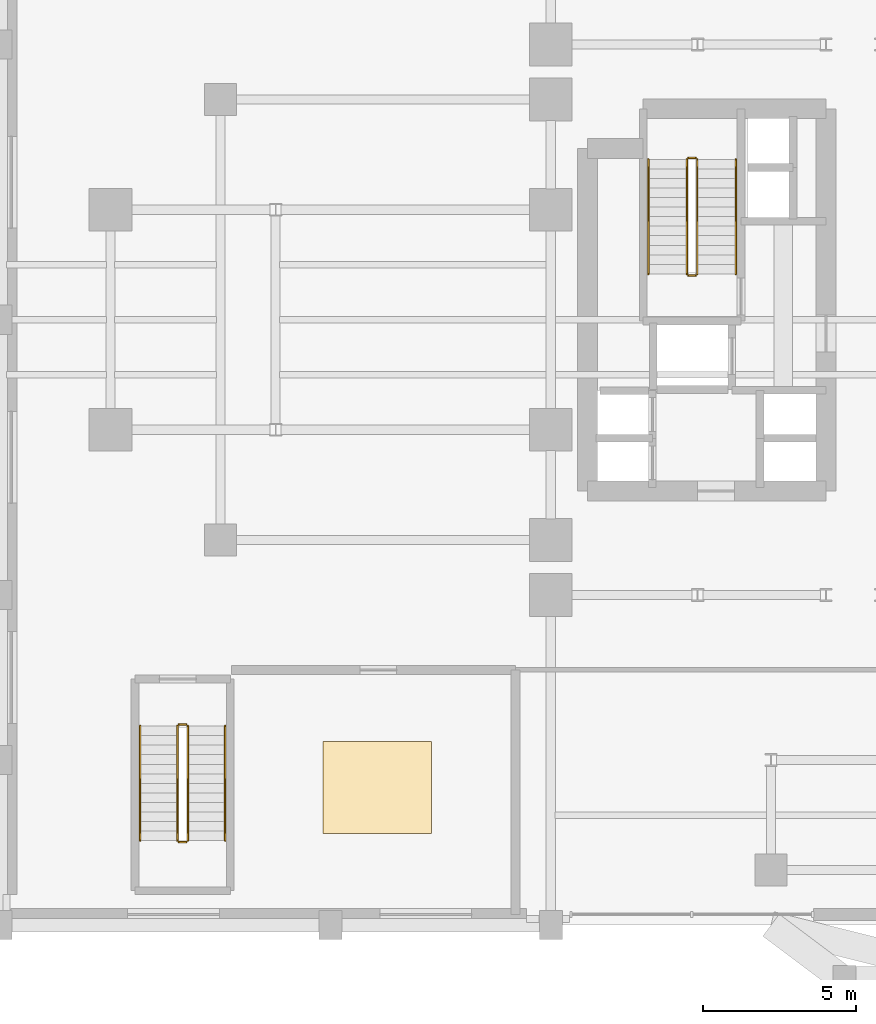
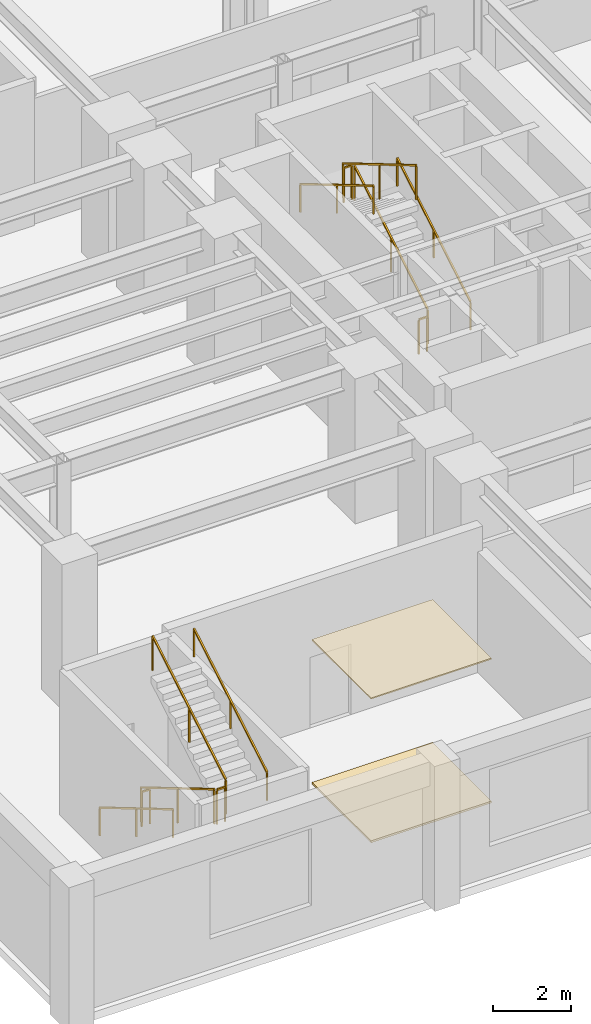
# One storey, part 13 of 14: 12 railings, 2 coverings.
"""IFC4 building model written with IfcOpenShell, lengths in metres."""

from ifc_helpers import new_model, si_unit, direction, frame, origin, origin_2d, place, context, subcontext, project, spatial, rectangle, extrude, source, transform, mapped, material, layer, layer_set, type_object, element, save


model = new_model("IFC4")

# Units and contexts
model_context = context("Model", 3, precision=1e-05, world=origin(), true_north=direction((0.0, 1.0)))
body_context = subcontext(model_context, "Body", "Model", "MODEL_VIEW")
ifc_project = project(units=[si_unit("LENGTHUNIT", "METRE"), si_unit("AREAUNIT", "SQUARE_METRE"), si_unit("VOLUMEUNIT", "CUBIC_METRE"), si_unit("PLANEANGLEUNIT", "RADIAN"), si_unit("MASSUNIT", "GRAM", prefix="KILO")], contexts=[model_context])

# Site, building, storey
site_placement = place(None, origin())
site = spatial("IfcSite", under=ifc_project, at=site_placement, CompositionType="ELEMENT")
building_placement = place(site_placement, origin())
building = spatial("IfcBuilding", under=site, at=building_placement, Name="Keilestroom Media Tower", CompositionType="ELEMENT")
storey_placement = place(building_placement, frame((0.0, 0.0, 5.39990234375)))
storey = spatial("IfcBuildingStorey", under=building, at=storey_placement, Name="L01", CompositionType="ELEMENT", Elevation=5.39990234375)

# Railings
ifc_material_1 = material(Name="Brushed Stainless Steel 1.4301", Category="steel")
railing_type_1 = type_object("IfcRailingType", Name="Stair-Pitch-Handrail-920", PredefinedType="HANDRAIL", material=ifc_material_1)
railing_1_placement = place(storey_placement, frame((-8.35009765625, 1.5, 0.184814453125)))
element("IfcRailing", 1, at=railing_1_placement, inside=storey, type_object=railing_type_1, Name="L01 ST-1 stair handrail 1", PredefinedType="HANDRAIL", context=body_context, shape_type="SweptSolid", body=[
    extrude(rectangle(XDim=0.048095703125, YDim=0.048095703125, at=origin_2d()), frame((0.0, 0.0, 0.8759765625), z_axis=(0.0, 0.860621358501, 0.509245399872), x_axis=(-1.0, 0.0, 0.0)), (0.0, 0.0, 1.0), 4.350341796875),
    extrude(rectangle(XDim=0.0419921875, YDim=0.0419921875, at=origin_2d()), origin(), (0.0, 0.0, 1.0), 0.84375),
    extrude(rectangle(XDim=0.0419921875, YDim=0.0419921875, at=origin_2d()), frame((0.0, 1.8720703125, 1.107666015625)), (0.0, 0.0, 1.0), 0.84375),
    extrude(rectangle(XDim=0.0419921875, YDim=0.0419921875, at=origin_2d()), frame((0.0, 3.743896484375, 2.21533203125)), (0.0, 0.0, 1.0), 0.84375),
])
for number, where, name in (
    (2, (-11.2099609375, 5.243896484375, 2.584716796875), "L01 ST-1 stair handrail 2"),
    (3, (-27.830078125, -13.2900390625, 0.184814453125), "L01 ST-3 stair handrail 1"),
):
    element("IfcRailing", number, at=place(storey_placement, frame(where)), inside=storey, type_object=railing_type_1, Name=name, PredefinedType="HANDRAIL", context=body_context, shape_type="SweptSolid", body=[
        extrude(rectangle(XDim=0.048095703125, YDim=0.048095703125, at=origin_2d()), frame((0.0, 0.0, 0.8759765625), z_axis=(0.0, -0.860621358501, 0.509245399872), x_axis=(1.0, 0.0, 0.0)), (0.0, 0.0, 1.0), 4.350341796875),
        extrude(rectangle(XDim=0.0419921875, YDim=0.0419921875, at=origin_2d()), origin(), (0.0, 0.0, 1.0), 0.84375),
        extrude(rectangle(XDim=0.0419921875, YDim=0.0419921875, at=origin_2d()), frame((0.0, -1.8720703125, 1.107666015625)), (0.0, 0.0, 1.0), 0.84375),
        extrude(rectangle(XDim=0.0419921875, YDim=0.0419921875, at=origin_2d()), frame((0.0, -3.743896484375, 2.21533203125)), (0.0, 0.0, 1.0), 0.84375),
    ])
railing_2_placement = place(storey_placement, frame((-25.050048828125, -17.033935546875, 2.584716796875)))
element("IfcRailing", 4, at=railing_2_placement, inside=storey, type_object=railing_type_1, Name="L01 ST-3 stair handrail 2", PredefinedType="HANDRAIL", context=body_context, shape_type="SweptSolid", body=[
    extrude(rectangle(XDim=0.048095703125, YDim=0.048095703125, at=origin_2d()), frame((0.0, 0.0, 0.8759765625), z_axis=(0.0, 0.860621358501, 0.509245399872), x_axis=(-1.0, 0.0, 0.0)), (0.0, 0.0, 1.0), 4.350341796875),
    extrude(rectangle(XDim=0.0419921875, YDim=0.0419921875, at=origin_2d()), origin(), (0.0, 0.0, 1.0), 0.84375),
    extrude(rectangle(XDim=0.0419921875, YDim=0.0419921875, at=origin_2d()), frame((0.0, 1.8720703125, 1.107666015625)), (0.0, 0.0, 1.0), 0.84375),
    extrude(rectangle(XDim=0.0419921875, YDim=0.0419921875, at=origin_2d()), frame((0.0, 3.743896484375, 2.21533203125)), (0.0, 0.0, 1.0), 0.84375),
])
ifc_material_2 = material(Name="Painted Steel Balustrade", Category="steel")
railing_type_2 = type_object("IfcRailingType", Name="Stair-Well-And-Landing-Guard-1100", PredefinedType="GUARDRAIL", material=ifc_material_2)
railing_3_placement = place(storey_placement, frame((-9.610107421875, 1.5, 0.184814453125)))
element("IfcRailing", 5, at=railing_3_placement, inside=storey, type_object=railing_type_2, Name="L01 ST-1 stair guard 1", PredefinedType="GUARDRAIL", context=body_context, shape_type="SweptSolid", body=[
    extrude(rectangle(XDim=0.048095703125, YDim=0.048095703125, at=origin_2d()), frame((0.0, 0.0, 1.076171875), z_axis=(0.0, 0.860621358501, 0.509245399872), x_axis=(-1.0, 0.0, 0.0)), (0.0, 0.0, 1.0), 4.350341796875),
    extrude(rectangle(XDim=0.0419921875, YDim=0.0419921875, at=origin_2d()), origin(), (0.0, 0.0, 1.0), 1.0439453125),
    extrude(rectangle(XDim=0.0419921875, YDim=0.0419921875, at=origin_2d()), frame((0.0, 1.8720703125, 1.107666015625)), (0.0, 0.0, 1.0), 1.0439453125),
    extrude(rectangle(XDim=0.0419921875, YDim=0.0419921875, at=origin_2d()), frame((0.0, 3.743896484375, 2.21533203125)), (0.0, 0.0, 1.0), 1.0439453125),
])
railing_4_placement = place(storey_placement, frame((-9.659912109375, 5.2939453125, 2.400146484375)))
element("IfcRailing", 6, at=railing_4_placement, inside=storey, type_object=railing_type_2, Name="L01 ST-1 stair guard 2", PredefinedType="GUARDRAIL", context=body_context, shape_type="SweptSolid", body=[
    extrude(rectangle(XDim=0.048095703125, YDim=0.048095703125, at=origin_2d()), frame((0.0, 0.0, 1.076171875), z_axis=(-1.0, 0.0, 0.0), x_axis=(0.0, -1.0, 0.0)), (0.0, 0.0, 1.0), 0.239990234375),
    extrude(rectangle(XDim=0.0419921875, YDim=0.0419921875, at=origin_2d()), origin(), (0.0, 0.0, 1.0), 1.0439453125),
    extrude(rectangle(XDim=0.0419921875, YDim=0.0419921875, at=origin_2d()), frame((-0.239990234375, 0.0, 0.0)), (0.0, 0.0, 1.0), 1.0439453125),
])
railing_5_placement = place(storey_placement, frame((-9.949951171875, 5.243896484375, 2.584716796875)))
element("IfcRailing", 7, at=railing_5_placement, inside=storey, type_object=railing_type_2, Name="L01 ST-1 stair guard 3", PredefinedType="GUARDRAIL", context=body_context, shape_type="SweptSolid", body=[
    extrude(rectangle(XDim=0.048095703125, YDim=0.048095703125, at=origin_2d()), frame((0.0, 0.0, 1.076171875), z_axis=(0.0, -0.860621358501, 0.509245399872), x_axis=(1.0, 0.0, 0.0)), (0.0, 0.0, 1.0), 4.350341796875),
    extrude(rectangle(XDim=0.0419921875, YDim=0.0419921875, at=origin_2d()), origin(), (0.0, 0.0, 1.0), 1.0439453125),
    extrude(rectangle(XDim=0.0419921875, YDim=0.0419921875, at=origin_2d()), frame((0.0, -1.8720703125, 1.107666015625)), (0.0, 0.0, 1.0), 1.0439453125),
    extrude(rectangle(XDim=0.0419921875, YDim=0.0419921875, at=origin_2d()), frame((0.0, -3.743896484375, 2.21533203125)), (0.0, 0.0, 1.0), 1.0439453125),
])
railing_6_placement = place(storey_placement, frame((-9.659912109375, 1.449951171875, 0.0)))
element("IfcRailing", 8, at=railing_6_placement, inside=storey, type_object=railing_type_2, Name="L01 ST-1 stair guard 4", PredefinedType="GUARDRAIL", context=body_context, shape_type="SweptSolid", body=[
    extrude(rectangle(XDim=0.048095703125, YDim=0.048095703125, at=origin_2d()), frame((0.0, 0.0, 1.076171875), z_axis=(-1.0, 0.0, 0.0), x_axis=(0.0, -1.0, 0.0)), (0.0, 0.0, 1.0), 0.239990234375),
    extrude(rectangle(XDim=0.0419921875, YDim=0.0419921875, at=origin_2d()), origin(), (0.0, 0.0, 1.0), 1.0439453125),
    extrude(rectangle(XDim=0.0419921875, YDim=0.0419921875, at=origin_2d()), frame((-0.239990234375, 0.0, 0.0)), (0.0, 0.0, 1.0), 1.0439453125),
])
railing_7_placement = place(storey_placement, frame((-26.610107421875, -13.2900390625, 0.184814453125)))
element("IfcRailing", 9, at=railing_7_placement, inside=storey, type_object=railing_type_2, Name="L01 ST-3 stair guard 1", PredefinedType="GUARDRAIL", context=body_context, shape_type="SweptSolid", body=[
    extrude(rectangle(XDim=0.048095703125, YDim=0.048095703125, at=origin_2d()), frame((0.0, 0.0, 1.076171875), z_axis=(0.0, -0.860621358501, 0.509245399872), x_axis=(1.0, 0.0, 0.0)), (0.0, 0.0, 1.0), 4.350341796875),
    extrude(rectangle(XDim=0.0419921875, YDim=0.0419921875, at=origin_2d()), origin(), (0.0, 0.0, 1.0), 1.0439453125),
    extrude(rectangle(XDim=0.0419921875, YDim=0.0419921875, at=origin_2d()), frame((0.0, -1.8720703125, 1.107666015625)), (0.0, 0.0, 1.0), 1.0439453125),
    extrude(rectangle(XDim=0.0419921875, YDim=0.0419921875, at=origin_2d()), frame((0.0, -3.743896484375, 2.21533203125)), (0.0, 0.0, 1.0), 1.0439453125),
])
railing_8_placement = place(storey_placement, frame((-26.56005859375, -17.083984375, 2.400146484375)))
element("IfcRailing", 10, at=railing_8_placement, inside=storey, type_object=railing_type_2, Name="L01 ST-3 stair guard 2", PredefinedType="GUARDRAIL", context=body_context, shape_type="SweptSolid", body=[
    extrude(rectangle(XDim=0.048095703125, YDim=0.048095703125, at=origin_2d()), frame((0.0, 0.0, 1.076171875), z_axis=(1.0, 0.0, 0.0), x_axis=(0.0, 1.0, 0.0)), (0.0, 0.0, 1.0), 0.239990234375),
    extrude(rectangle(XDim=0.0419921875, YDim=0.0419921875, at=origin_2d()), origin(), (0.0, 0.0, 1.0), 1.0439453125),
    extrude(rectangle(XDim=0.0419921875, YDim=0.0419921875, at=origin_2d()), frame((0.239990234375, 0.0, 0.0)), (0.0, 0.0, 1.0), 1.0439453125),
])
railing_9_placement = place(storey_placement, frame((-26.27001953125, -17.033935546875, 2.584716796875)))
element("IfcRailing", 11, at=railing_9_placement, inside=storey, type_object=railing_type_2, Name="L01 ST-3 stair guard 3", PredefinedType="GUARDRAIL", context=body_context, shape_type="SweptSolid", body=[
    extrude(rectangle(XDim=0.048095703125, YDim=0.048095703125, at=origin_2d()), frame((0.0, 0.0, 1.076171875), z_axis=(0.0, 0.860621358501, 0.509245399872), x_axis=(-1.0, 0.0, 0.0)), (0.0, 0.0, 1.0), 4.350341796875),
    extrude(rectangle(XDim=0.0419921875, YDim=0.0419921875, at=origin_2d()), origin(), (0.0, 0.0, 1.0), 1.0439453125),
    extrude(rectangle(XDim=0.0419921875, YDim=0.0419921875, at=origin_2d()), frame((0.0, 1.8720703125, 1.107666015625)), (0.0, 0.0, 1.0), 1.0439453125),
    extrude(rectangle(XDim=0.0419921875, YDim=0.0419921875, at=origin_2d()), frame((0.0, 3.743896484375, 2.21533203125)), (0.0, 0.0, 1.0), 1.0439453125),
])
railing_10_placement = place(storey_placement, frame((-26.56005859375, -13.239990234375, 0.0)))
element("IfcRailing", 12, at=railing_10_placement, inside=storey, type_object=railing_type_2, Name="L01 ST-3 stair guard 4", PredefinedType="GUARDRAIL", context=body_context, shape_type="SweptSolid", body=[
    extrude(rectangle(XDim=0.048095703125, YDim=0.048095703125, at=origin_2d()), frame((0.0, 0.0, 1.076171875), z_axis=(1.0, 0.0, 0.0), x_axis=(0.0, 1.0, 0.0)), (0.0, 0.0, 1.0), 0.239990234375),
    extrude(rectangle(XDim=0.0419921875, YDim=0.0419921875, at=origin_2d()), origin(), (0.0, 0.0, 1.0), 1.0439453125),
    extrude(rectangle(XDim=0.0419921875, YDim=0.0419921875, at=origin_2d()), frame((0.239990234375, 0.0, 0.0)), (0.0, 0.0, 1.0), 1.0439453125),
])

# Coverings
ifc_material_3 = material(Name="Mineral-Fibre Acoustic Ceiling Tile", Category="gypsum")
ifc_layer_1 = layer(ifc_material_3, 0.0400390625)
ifc_layer_set_1 = layer_set([ifc_layer_1], Name="Mineral-Fibre Acoustic Ceiling Tile")
covering_type_1 = type_object("IfcCoveringType", Name="Suspended-Acoustic-Ceiling-40", PredefinedType="CEILING", material=ifc_layer_set_1)
shared_shape_1 = source(origin(), body_context, "Body", "SweptSolid", [
    extrude(rectangle(XDim=3.555908203125, YDim=3.01611328125, at=origin_2d()), origin(), (0.0, 0.0, 1.0), 0.0400390625),
])
covering_1_placement = place(storey_placement, frame((-20.074951171875, -15.300048828125, 4.47998046875), z_axis=(0.0, 0.0, 1.0), x_axis=(1.0, 0.0, 0.0)))
element("IfcCovering", 13, at=covering_1_placement, inside=storey, type_object=covering_type_1, Name="L01 Suspended Acoustic Ceiling 2", PredefinedType="CEILING", context=body_context, shape_type="MappedRepresentation", body=[
    mapped(shared_shape_1, transform((0.0, 0.0, 0.0), x_axis=(1.0, 0.0, 0.0), y_axis=(0.0, 1.0, 0.0), z_axis=(0.0, 0.0, 1.0), scale=1.0)),
])
ifc_material_4 = material(Name="Calcium-Sulphate Raised Access Floor", Category="concrete")
ifc_layer_2 = layer(ifc_material_4, 0.06005859375)
ifc_layer_set_2 = layer_set([ifc_layer_2], Name="Calcium-Sulphate Raised Access Floor")
covering_type_2 = type_object("IfcCoveringType", Name="Raised-Access-And-Acoustic-Flooring-60", PredefinedType="FLOORING", material=ifc_layer_set_2)
shared_shape_2 = source(origin(), body_context, "Body", "SweptSolid", [
    extrude(rectangle(XDim=3.555908203125, YDim=3.01611328125, at=origin_2d()), origin(), (0.0, 0.0, 1.0), 0.06005859375),
])
covering_2_placement = place(storey_placement, frame((-20.074951171875, -15.300048828125, 0.0), z_axis=(0.0, 0.0, 1.0), x_axis=(1.0, 0.0, 0.0)))
element("IfcCovering", 14, at=covering_2_placement, inside=storey, type_object=covering_type_2, Name="L01 Raised Access Flooring 2", PredefinedType="FLOORING", context=body_context, shape_type="MappedRepresentation", body=[
    mapped(shared_shape_2, transform((0.0, 0.0, 0.0), x_axis=(1.0, 0.0, 0.0), y_axis=(0.0, 1.0, 0.0), z_axis=(0.0, 0.0, 1.0), scale=1.0)),
])

save(model, "model.ifc")
